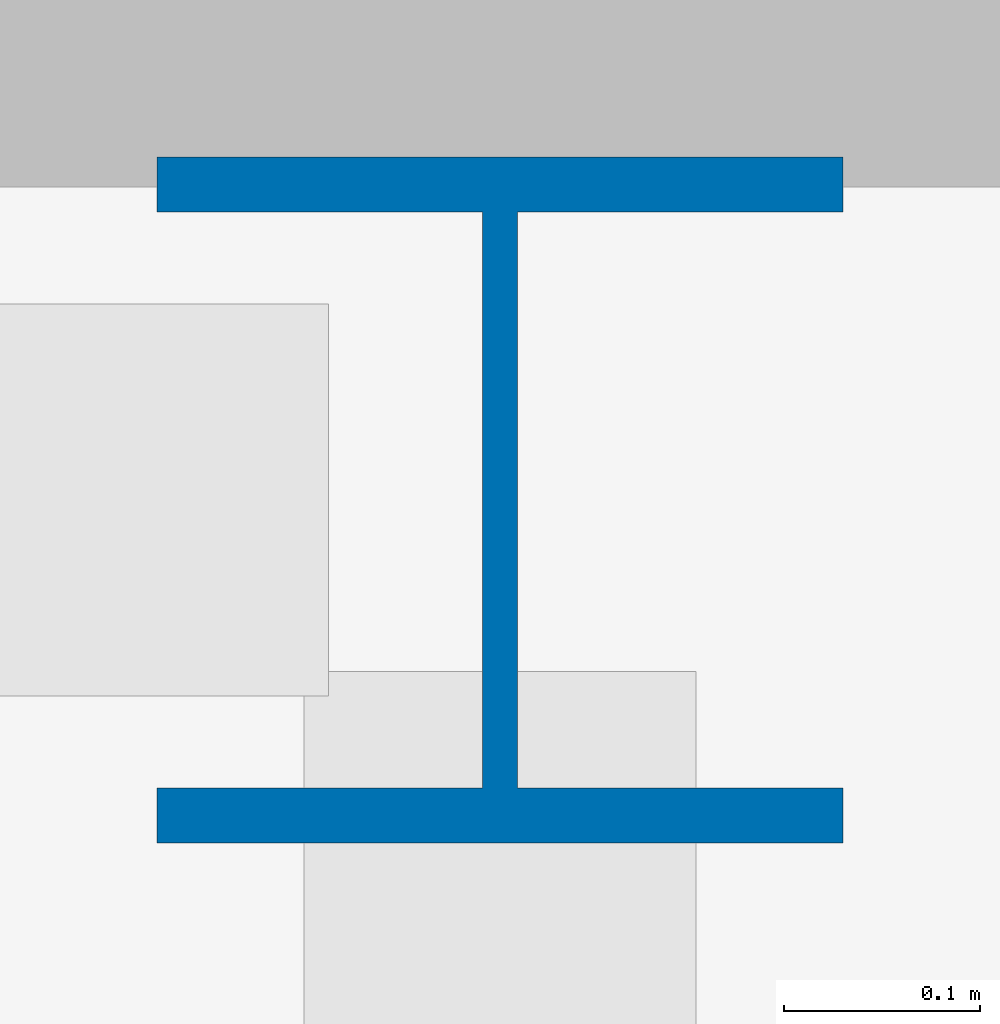
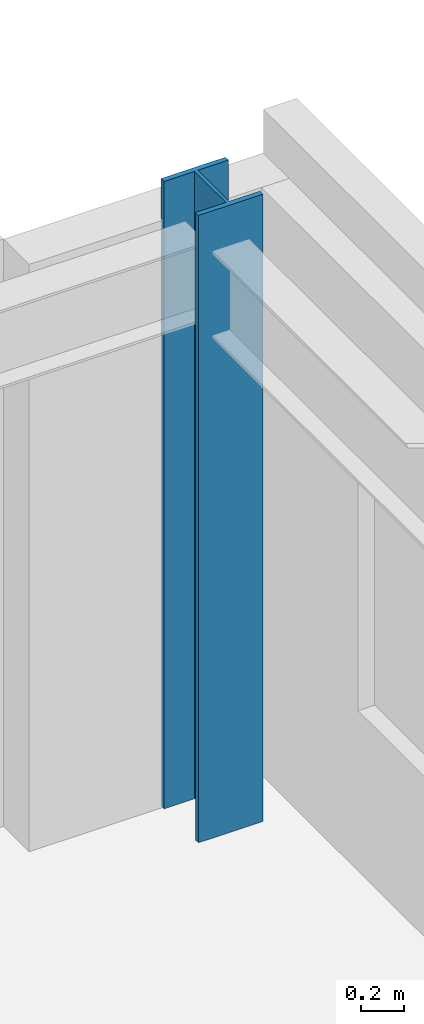
# One storey, part 4 of 21: 1 column.
"""IFC4 building model written with IfcOpenShell, lengths in metres."""

from ifc_helpers import new_model, si_unit, direction, frame, origin, origin_2d, place, context, subcontext, project, spatial, i_section, extrude, source, transform, mapped, material, material_profile, profile_set, type_object, element, save


model = new_model("IFC4")

# Units and contexts
model_context = context("Model", 3, precision=1e-05, world=origin(), true_north=direction((0.0, 1.0)))
body_context = subcontext(model_context, "Body", "Model", "MODEL_VIEW")
ifc_project = project(units=[si_unit("LENGTHUNIT", "METRE"), si_unit("AREAUNIT", "SQUARE_METRE"), si_unit("VOLUMEUNIT", "CUBIC_METRE"), si_unit("PLANEANGLEUNIT", "RADIAN"), si_unit("MASSUNIT", "GRAM", prefix="KILO")], contexts=[model_context])

# Site, building, storey
site_placement = place(None, origin())
site = spatial("IfcSite", under=ifc_project, at=site_placement, CompositionType="ELEMENT")
building_placement = place(site_placement, origin())
building = spatial("IfcBuilding", under=site, at=building_placement, Name="Trelvane Seafront Commons", CompositionType="ELEMENT")
storey_placement = place(building_placement, frame((0.0, 0.0, 255.89990234375)))
storey = spatial("IfcBuildingStorey", under=building, at=storey_placement, Name="L66", CompositionType="ELEMENT", Elevation=255.89990234375)

# Column
ifc_material = material(Name="Steel SM355 (S355)", Category="steel")
ifc_material_profile = material_profile(ifc_material, i_section(OverallWidth=0.35009765625, OverallDepth=0.35009765625, WebThickness=0.01806640625, FlangeThickness=0.028076171875, at=origin_2d()), Name="HD-350x350x18x28")
ifc_profile_set = profile_set([ifc_material_profile], Name="Steel SM355 (S355)")
column_type = type_object("IfcColumnType", Name="STR-COL-HD350", PredefinedType="COLUMN", material=ifc_profile_set)
shared_shape = source(origin(), body_context, "Body", "SweptSolid", [
    extrude(i_section(OverallWidth=0.35009765625, OverallDepth=0.35009765625, WebThickness=0.01806640625, FlangeThickness=0.028076171875, at=origin_2d()), origin(), (0.0, 0.0, 1.0), 3.60009765625),
])
column_placement = place(storey_placement, frame((65.60009765625, 45.10009765625, 0.0), z_axis=(0.0, 0.0, 1.0), x_axis=(1.0, 0.0, 0.0)))
element("IfcColumn", 1, at=column_placement, inside=storey, type_object=column_type, Name="L66 Column TC-CN65.6", PredefinedType="COLUMN", context=body_context, shape_type="MappedRepresentation", body=[
    mapped(shared_shape, transform((0.0, 0.0, 0.0), x_axis=(1.0, 0.0, 0.0), y_axis=(0.0, 1.0, 0.0), z_axis=(0.0, 0.0, 1.0), scale=1.0)),
])

save(model, "model.ifc")
